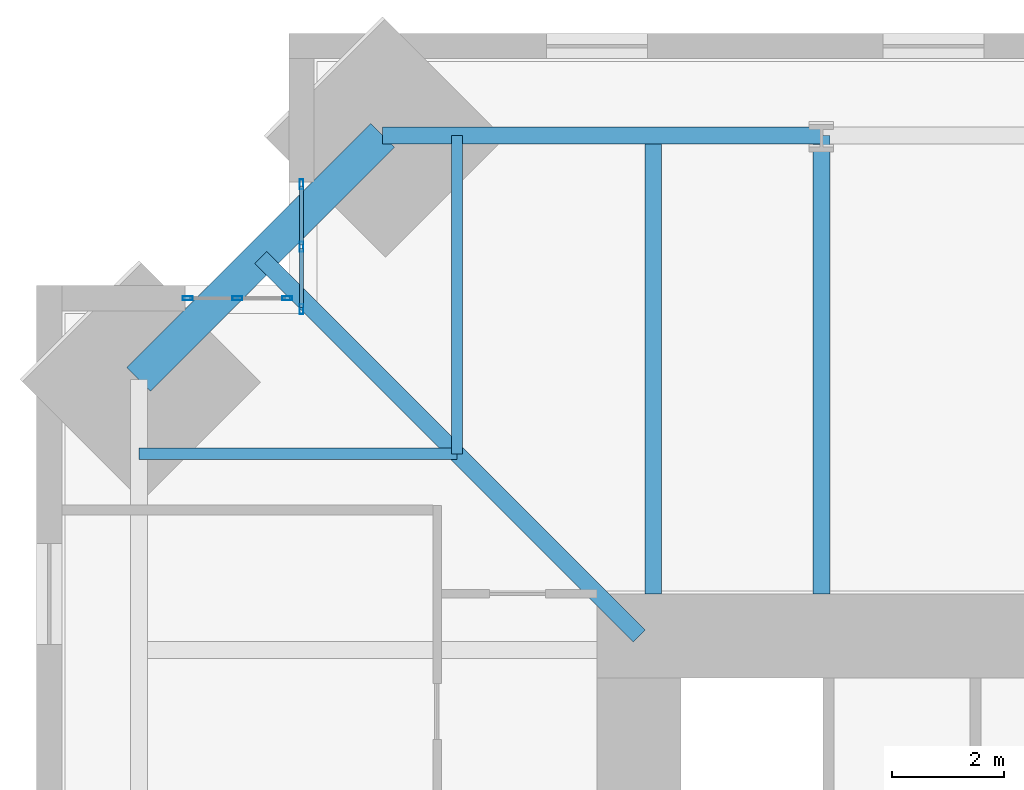
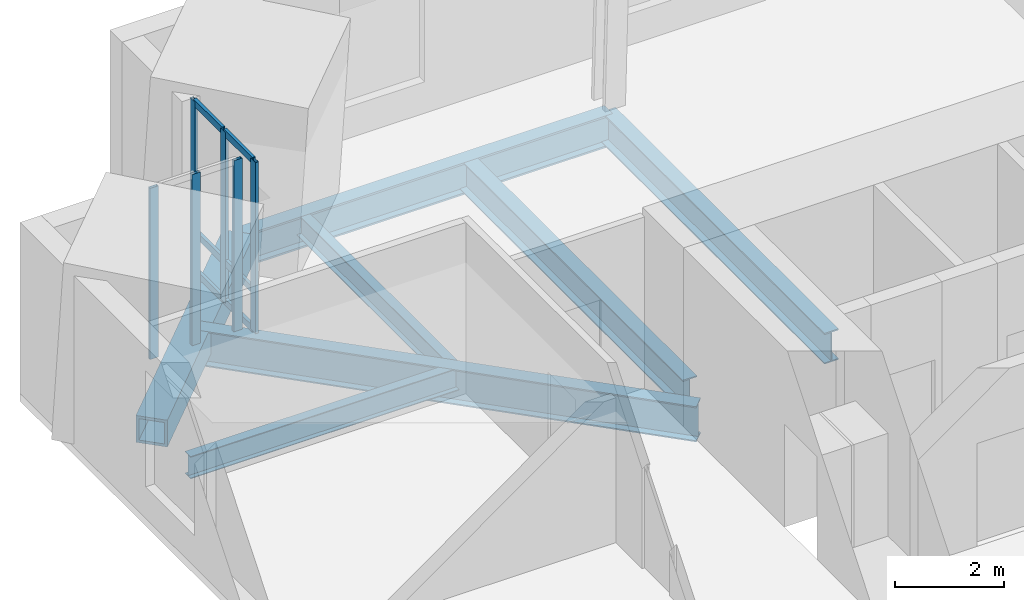
# One storey, part 6 of 16: 12 members, 7 beams, 2 elements without a shape of their own.
"""IFC4 building model written with IfcOpenShell, lengths in metres."""

from ifc_helpers import new_model, si_unit, direction, frame, origin, origin_2d, place, context, subcontext, project, spatial, hollow_rectangle, i_section, extrude, material, material_profile, profile_set, type_object, element, aggregate, save


model = new_model("IFC4")

# Units and contexts
model_context = context("Model", 3, precision=1e-05, world=origin(), true_north=direction((0.0, 1.0)))
body_context = subcontext(model_context, "Body", "Model", "MODEL_VIEW")
ifc_project = project(units=[si_unit("LENGTHUNIT", "METRE"), si_unit("AREAUNIT", "SQUARE_METRE"), si_unit("VOLUMEUNIT", "CUBIC_METRE"), si_unit("PLANEANGLEUNIT", "RADIAN"), si_unit("MASSUNIT", "GRAM", prefix="KILO")], contexts=[model_context])

# Site, building, storey
site_placement = place(None, origin())
site = spatial("IfcSite", under=ifc_project, at=site_placement, CompositionType="ELEMENT")
building_placement = place(site_placement, origin())
building = spatial("IfcBuilding", under=site, at=building_placement, Name="Peilmerk Tower", CompositionType="ELEMENT")
storey_placement = place(building_placement, frame((0.0, 0.0, 265.800048828125)))
storey = spatial("IfcBuildingStorey", under=building, at=storey_placement, Name="L59", CompositionType="ELEMENT", Elevation=265.800048828125)

# Beams
ifc_material_1 = material(Name="Steel S355", Category="steel")
ifc_material_profile_1 = material_profile(ifc_material_1, i_section(OverallWidth=0.300048828125, OverallDepth=0.68994140625, WebThickness=0.014404296875, FlangeThickness=0.027099609375, at=origin_2d()), Name="HEA 700")
ifc_profile_set_1 = profile_set([ifc_material_profile_1], Name="Steel S355")
beam_type_1 = type_object("IfcBeamType", Name="B16 HEA 700 floor beam", PredefinedType="BEAM", material=ifc_profile_set_1)
for number, where, z_axis, x_axis, name in (
    (1, (-8.0, 12.0, -0.51513671875), (0.0, 1.0, 0.0), (-1.0, 0.0, 0.0), "Floor beam L59"),
    (2, (-11.0, 12.0, -0.51513671875), (0.0, 1.0, 0.0), (-1.0, 0.0, 0.0), "Floor beam L59"),
):
    element("IfcBeam", number, at=place(storey_placement, frame(where, z_axis=z_axis, x_axis=x_axis)), inside=storey, type_object=beam_type_1, Name=name, PredefinedType="BEAM", context=body_context, shape_type="SweptSolid", body=[
        extrude(i_section(OverallWidth=0.300048828125, OverallDepth=0.68994140625, WebThickness=0.014404296875, FlangeThickness=0.027099609375, at=origin_2d()), origin(), (0.0, 0.0, 1.0), 8.178955078125),
    ])
ifc_material_2 = material(Name="Steel S460", Category="steel")
ifc_material_profile_2 = material_profile(ifc_material_2, hollow_rectangle(XDim=0.60009765625, YDim=0.60009765625, WallThickness=0.06005859375, at=origin_2d()), Name="BOX 600x600x60")
ifc_profile_set_2 = profile_set([ifc_material_profile_2], Name="Steel S460")
beam_type_2 = type_object("IfcBeamType", Name="B20 BOX 600x600x60 notch beam", PredefinedType="SPANDREL", material=ifc_profile_set_2)
beam_1_placement = place(storey_placement, frame((-20.178955078125, 15.8291015625, -0.469970703125), z_axis=(0.707106781187, 0.707106781187, 0.0), x_axis=(-0.707106781187, 0.707106781187, 0.0)))
element("IfcBeam", 3, at=beam_1_placement, inside=storey, type_object=beam_type_2, Name="Notch beam L59", PredefinedType="SPANDREL", context=body_context, shape_type="SweptSolid", body=[
    extrude(hollow_rectangle(XDim=0.60009765625, YDim=0.60009765625, WallThickness=0.06005859375, at=origin_2d()), origin(), (0.0, 0.0, 1.0), 6.151611328125),
])
ifc_material_profile_3 = material_profile(ifc_material_1, i_section(OverallWidth=0.300048828125, OverallDepth=0.7900390625, WebThickness=0.014892578125, FlangeThickness=0.028076171875, at=origin_2d()), Name="HEA 800")
ifc_profile_set_3 = profile_set([ifc_material_profile_3], Name="Steel S355")
beam_type_3 = type_object("IfcBeamType", Name="B3 HEA 800 floor beam", PredefinedType="BEAM", material=ifc_profile_set_3)
beam_2_placement = place(storey_placement, frame((-11.25, 11.25, -0.56494140625), z_axis=(-0.707106781187, 0.707106781187, 0.0), x_axis=(-0.707106781187, -0.707106781187, 0.0)))
element("IfcBeam", 4, at=beam_2_placement, inside=storey, type_object=beam_type_3, Name="Corner girder L59", PredefinedType="BEAM", context=body_context, shape_type="SweptSolid", body=[
    extrude(i_section(OverallWidth=0.300048828125, OverallDepth=0.7900390625, WebThickness=0.014892578125, FlangeThickness=0.028076171875, at=origin_2d()), origin(), (0.0, 0.0, 1.0), 9.5517578125),
])
ifc_material_profile_4 = material_profile(ifc_material_1, i_section(OverallWidth=0.303955078125, OverallDepth=0.716064453125, WebThickness=0.02099609375, FlangeThickness=0.0400390625, at=origin_2d()), Name="HEM 700")
ifc_profile_set_4 = profile_set([ifc_material_profile_4], Name="Steel S355")
beam_type_4 = type_object("IfcBeamType", Name="B30 HEM 700 edge beam", PredefinedType="SPANDREL", material=ifc_profile_set_4)
beam_3_placement = place(storey_placement, frame((-8.0, 20.178955078125, -0.528076171875), z_axis=(-1.0, 0.0, 0.0), x_axis=(0.0, -1.0, 0.0)))
element("IfcBeam", 5, at=beam_3_placement, inside=storey, type_object=beam_type_4, Name="Edge beam L59", PredefinedType="SPANDREL", context=body_context, shape_type="SweptSolid", body=[
    extrude(i_section(OverallWidth=0.303955078125, OverallDepth=0.716064453125, WebThickness=0.02099609375, FlangeThickness=0.0400390625, at=origin_2d()), origin(), (0.0, 0.0, 1.0), 7.8291015625),
])
ifc_material_profile_5 = material_profile(ifc_material_1, i_section(OverallWidth=0.199951171875, OverallDepth=0.5, WebThickness=0.01025390625, FlangeThickness=0.01611328125, at=origin_2d()), Name="IPE 500")
ifc_profile_set_5 = profile_set([ifc_material_profile_5], Name="Steel S355")
beam_type_5 = type_object("IfcBeamType", Name="B32 IPE 500 floor beam", PredefinedType="BEAM", material=ifc_profile_set_5)
for number, where, z_axis, x_axis, name in (
    (6, (-14.5, 14.5, -0.420166015625), (0.0, 1.0, 0.0), (-1.0, 0.0, 0.0), "Floor beam L59"),
    (7, (-14.5, 14.5, -0.420166015625), (-1.0, 0.0, 0.0), (0.0, -1.0, 0.0), "Floor beam L59"),
):
    element("IfcBeam", number, at=place(storey_placement, frame(where, z_axis=z_axis, x_axis=x_axis)), inside=storey, type_object=beam_type_5, Name=name, PredefinedType="BEAM", context=body_context, shape_type="SweptSolid", body=[
        extrude(i_section(OverallWidth=0.199951171875, OverallDepth=0.5, WebThickness=0.01025390625, FlangeThickness=0.01611328125, at=origin_2d()), origin(), (0.0, 0.0, 1.0), 5.678955078125),
    ])

# Curtain wall, members
ifc_material_3 = material(Name="Aluminium stick curtain wall", Category="aluminium")
curtain_wall_type = type_object("IfcCurtainWallType", Name="CW4 stick curtain wall, 2250 module", PredefinedType="NOTDEFINED", material=ifc_material_3)
curtain_wall_1_placement = place(storey_placement, origin())
curtain_wall_1 = element("IfcCurtainWall", 8, at=curtain_wall_1_placement, inside=storey, type_object=curtain_wall_type, Name="Curtain wall CW4 NWA L59", PredefinedType="NOTDEFINED")
ifc_material_4 = material(Name="Aluminium EN AW-6063 T6", Category="aluminium")
ifc_material_profile_6 = material_profile(ifc_material_4, hollow_rectangle(XDim=0.06494140625, YDim=0.179931640625, WallThickness=0.0029296875, at=origin_2d()), Name="AL 180x65x3")
ifc_profile_set_6 = profile_set([ifc_material_profile_6], Name="Aluminium EN AW-6063 T6")
member_type_1 = type_object("IfcMemberType", Name="CW4-M AL 180x65x3 mullion", PredefinedType="MULLION", material=ifc_profile_set_6)
member_1_placement = place(storey_placement, frame((-17.27490234375, 17.08251953125, 0.0), z_axis=(0.0, 0.0, 1.0), x_axis=(-1.0, 0.0, 0.0)))
member_1 = element("IfcMember", 9, at=member_1_placement, type_object=member_type_1, Name="CW4 mullion 1", PredefinedType="MULLION", context=body_context, shape_type="SweptSolid", body=[
    extrude(hollow_rectangle(XDim=0.06494140625, YDim=0.179931640625, WallThickness=0.0029296875, at=origin_2d()), origin(), (0.0, 0.0, 1.0), 3.829833984375),
])
member_2_placement = place(storey_placement, frame((-17.27490234375, 18.1943359375, 0.0), z_axis=(0.0, 0.0, 1.0), x_axis=(-1.0, 0.0, 0.0)))
member_2 = element("IfcMember", 10, at=member_2_placement, type_object=member_type_1, Name="CW4 mullion 2", PredefinedType="MULLION", context=body_context, shape_type="SweptSolid", body=[
    extrude(hollow_rectangle(XDim=0.06494140625, YDim=0.179931640625, WallThickness=0.0029296875, at=origin_2d()), origin(), (0.0, 0.0, 1.0), 3.829833984375),
])
member_3_placement = place(storey_placement, frame((-17.27490234375, 19.30615234375, 0.0), z_axis=(0.0, 0.0, 1.0), x_axis=(-1.0, 0.0, 0.0)))
member_3 = element("IfcMember", 11, at=member_3_placement, type_object=member_type_1, Name="CW4 mullion 3", PredefinedType="MULLION", context=body_context, shape_type="SweptSolid", body=[
    extrude(hollow_rectangle(XDim=0.06494140625, YDim=0.179931640625, WallThickness=0.0029296875, at=origin_2d()), origin(), (0.0, 0.0, 1.0), 3.829833984375),
])

curtain_wall_2_placement = place(storey_placement, origin())
curtain_wall_2 = element("IfcCurtainWall", 12, at=curtain_wall_2_placement, inside=storey, type_object=curtain_wall_type, Name="Curtain wall CW4 NWB L59", PredefinedType="NOTDEFINED")
member_4_placement = place(storey_placement, frame((-17.532470703125, 17.27490234375, 0.0), z_axis=(0.0, 0.0, 1.0), x_axis=(0.0, -1.0, 0.0)))
member_4 = element("IfcMember", 13, at=member_4_placement, type_object=member_type_1, Name="CW4 mullion 1", PredefinedType="MULLION", context=body_context, shape_type="SweptSolid", body=[
    extrude(hollow_rectangle(XDim=0.06494140625, YDim=0.179931640625, WallThickness=0.0029296875, at=origin_2d()), origin(), (0.0, 0.0, 1.0), 3.829833984375),
])
member_5_placement = place(storey_placement, frame((-18.41943359375, 17.27490234375, 0.0), z_axis=(0.0, 0.0, 1.0), x_axis=(0.0, -1.0, 0.0)))
member_5 = element("IfcMember", 14, at=member_5_placement, type_object=member_type_1, Name="CW4 mullion 2", PredefinedType="MULLION", context=body_context, shape_type="SweptSolid", body=[
    extrude(hollow_rectangle(XDim=0.06494140625, YDim=0.179931640625, WallThickness=0.0029296875, at=origin_2d()), origin(), (0.0, 0.0, 1.0), 3.829833984375),
])
member_6_placement = place(storey_placement, frame((-19.30615234375, 17.27490234375, 0.0), z_axis=(0.0, 0.0, 1.0), x_axis=(0.0, -1.0, 0.0)))
member_6 = element("IfcMember", 15, at=member_6_placement, type_object=member_type_1, Name="CW4 mullion 3", PredefinedType="MULLION", context=body_context, shape_type="SweptSolid", body=[
    extrude(hollow_rectangle(XDim=0.06494140625, YDim=0.179931640625, WallThickness=0.0029296875, at=origin_2d()), origin(), (0.0, 0.0, 1.0), 3.829833984375),
])
aggregate(curtain_wall_2, [member_4, member_5, member_6])

# Member
ifc_material_profile_7 = material_profile(ifc_material_4, hollow_rectangle(XDim=0.06494140625, YDim=0.14990234375, WallThickness=0.0029296875, at=origin_2d()), Name="AL 150x65x3")
ifc_profile_set_7 = profile_set([ifc_material_profile_7], Name="Aluminium EN AW-6063 T6")
member_type_2 = type_object("IfcMemberType", Name="CW4-T AL 150x65x3 transom", PredefinedType="USERDEFINED", material=ifc_profile_set_7)
member_7_placement = place(storey_placement, frame((-17.27490234375, 17.114990234375, 0.032470703125), z_axis=(0.0, 1.0, 0.0), x_axis=(-1.0, 0.0, 0.0)))
member_7 = element("IfcMember", 16, at=member_7_placement, type_object=member_type_2, Name="CW4 transom 1.1", ObjectType="TRANSOM", PredefinedType="USERDEFINED", context=body_context, shape_type="SweptSolid", body=[
    extrude(hollow_rectangle(XDim=0.06494140625, YDim=0.14990234375, WallThickness=0.0029296875, at=origin_2d()), origin(), (0.0, 0.0, 1.0), 1.046875),
])

member_8_placement = place(storey_placement, frame((-17.27490234375, 17.114990234375, 0.89990234375), z_axis=(0.0, 1.0, 0.0), x_axis=(-1.0, 0.0, 0.0)))
member_8 = element("IfcMember", 17, at=member_8_placement, type_object=member_type_2, Name="CW4 transom 1.2", ObjectType="TRANSOM", PredefinedType="USERDEFINED", context=body_context, shape_type="SweptSolid", body=[
    extrude(hollow_rectangle(XDim=0.06494140625, YDim=0.14990234375, WallThickness=0.0029296875, at=origin_2d()), origin(), (0.0, 0.0, 1.0), 1.046875),
])

member_9_placement = place(storey_placement, frame((-17.27490234375, 17.114990234375, 3.79736328125), z_axis=(0.0, 1.0, 0.0), x_axis=(-1.0, 0.0, 0.0)))
member_9 = element("IfcMember", 18, at=member_9_placement, type_object=member_type_2, Name="CW4 transom 1.3", ObjectType="TRANSOM", PredefinedType="USERDEFINED", context=body_context, shape_type="SweptSolid", body=[
    extrude(hollow_rectangle(XDim=0.06494140625, YDim=0.14990234375, WallThickness=0.0029296875, at=origin_2d()), origin(), (0.0, 0.0, 1.0), 1.046875),
])

member_10_placement = place(storey_placement, frame((-17.27490234375, 18.226806640625, 0.032470703125), z_axis=(0.0, 1.0, 0.0), x_axis=(-1.0, 0.0, 0.0)))
member_10 = element("IfcMember", 19, at=member_10_placement, type_object=member_type_2, Name="CW4 transom 2.1", ObjectType="TRANSOM", PredefinedType="USERDEFINED", context=body_context, shape_type="SweptSolid", body=[
    extrude(hollow_rectangle(XDim=0.06494140625, YDim=0.14990234375, WallThickness=0.0029296875, at=origin_2d()), origin(), (0.0, 0.0, 1.0), 1.046875),
])

member_11_placement = place(storey_placement, frame((-17.27490234375, 18.226806640625, 0.89990234375), z_axis=(0.0, 1.0, 0.0), x_axis=(-1.0, 0.0, 0.0)))
member_11 = element("IfcMember", 20, at=member_11_placement, type_object=member_type_2, Name="CW4 transom 2.2", ObjectType="TRANSOM", PredefinedType="USERDEFINED", context=body_context, shape_type="SweptSolid", body=[
    extrude(hollow_rectangle(XDim=0.06494140625, YDim=0.14990234375, WallThickness=0.0029296875, at=origin_2d()), origin(), (0.0, 0.0, 1.0), 1.046875),
])

member_12_placement = place(storey_placement, frame((-17.27490234375, 18.226806640625, 3.79736328125), z_axis=(0.0, 1.0, 0.0), x_axis=(-1.0, 0.0, 0.0)))
member_12 = element("IfcMember", 21, at=member_12_placement, type_object=member_type_2, Name="CW4 transom 2.3", ObjectType="TRANSOM", PredefinedType="USERDEFINED", context=body_context, shape_type="SweptSolid", body=[
    extrude(hollow_rectangle(XDim=0.06494140625, YDim=0.14990234375, WallThickness=0.0029296875, at=origin_2d()), origin(), (0.0, 0.0, 1.0), 1.046875),
])

aggregate(curtain_wall_1, [member_1, member_2, member_3, member_7, member_8, member_9, member_10, member_11, member_12])

save(model, "model.ifc")
